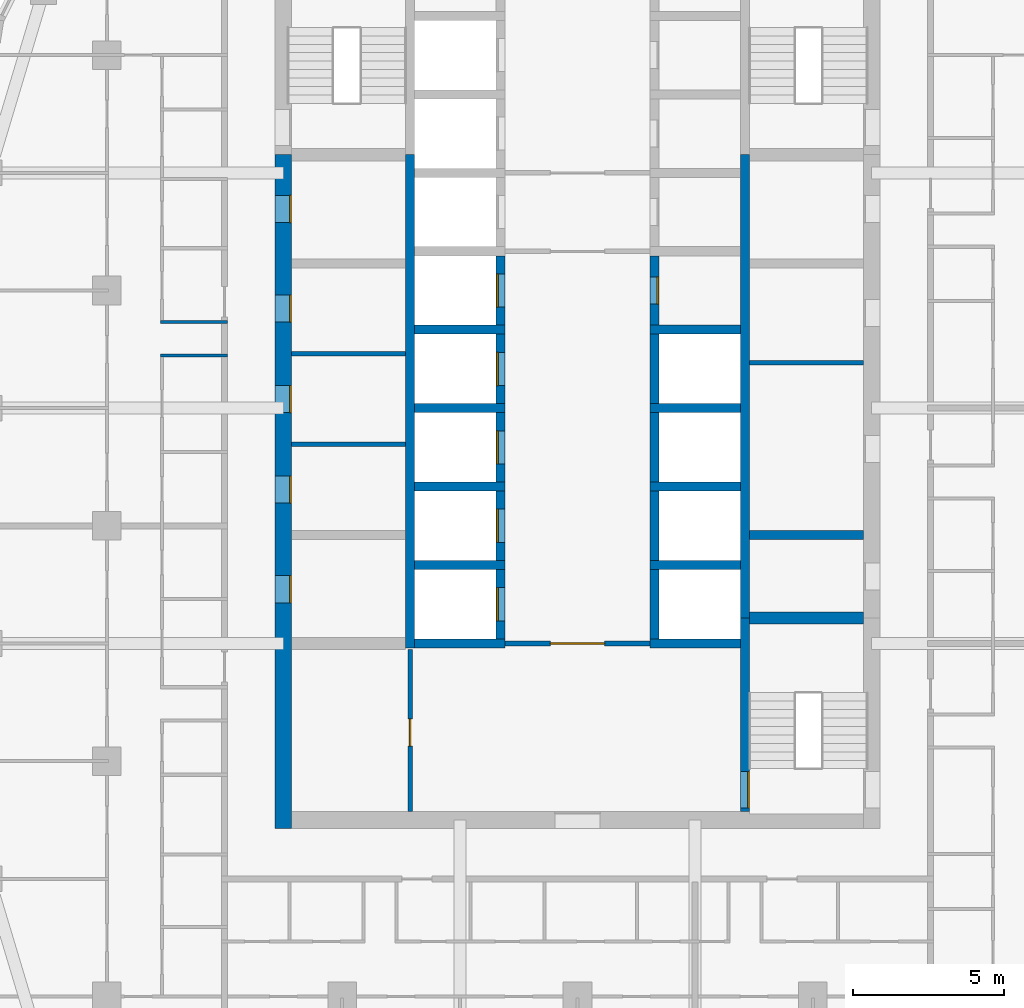
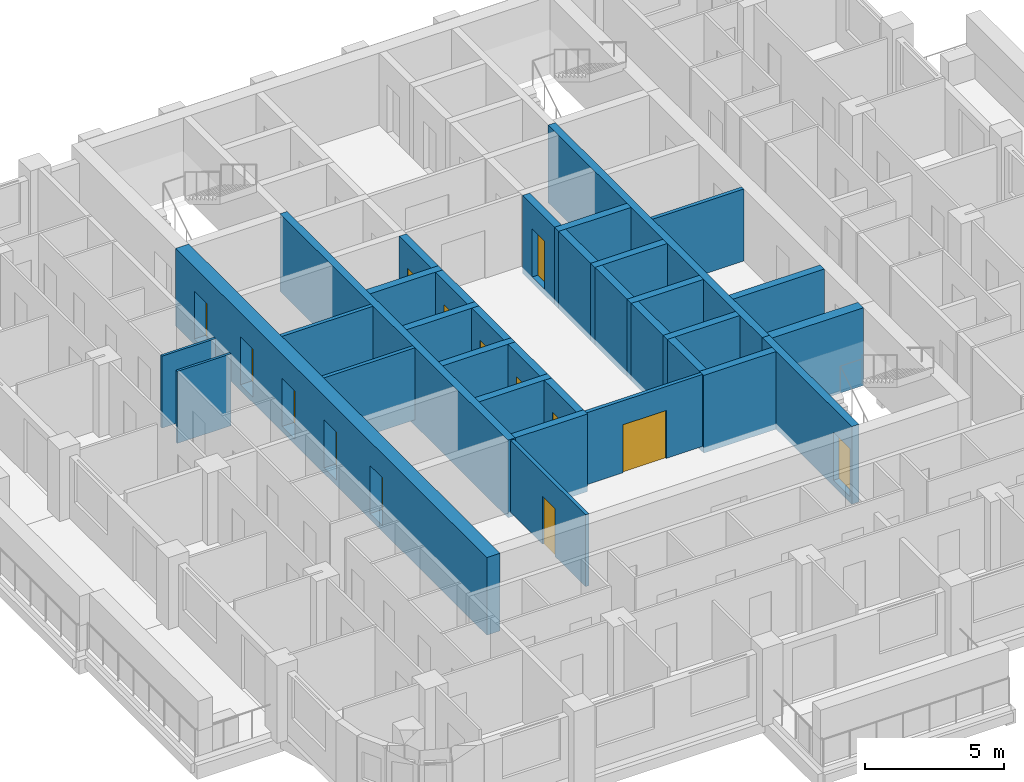
# One storey, part 5 of 14: 33 walls, 14 doors, 14 openings.
"""IFC4 building model written with IfcOpenShell, lengths in metres."""

from ifc_helpers import new_model, si_unit, direction, frame, frame_2d, origin, place, context, subcontext, project, spatial, rectangle, extrude, material, layer, layer_set, type_object, element, fill, save


model = new_model("IFC4")

# Units and contexts
model_context = context("Model", 3, precision=1e-05, world=origin(), true_north=direction((0.0, 1.0)))
body_context = subcontext(model_context, "Body", "Model", "MODEL_VIEW")
ifc_project = project(units=[si_unit("LENGTHUNIT", "METRE"), si_unit("AREAUNIT", "SQUARE_METRE"), si_unit("VOLUMEUNIT", "CUBIC_METRE"), si_unit("PLANEANGLEUNIT", "RADIAN"), si_unit("MASSUNIT", "GRAM", prefix="KILO")], contexts=[model_context])

# Site, building, storey
site_placement = place(None, origin())
site = spatial("IfcSite", under=ifc_project, at=site_placement, CompositionType="ELEMENT")
building_placement = place(site_placement, origin())
building = spatial("IfcBuilding", under=site, at=building_placement, Name="Ludao Terraces", CompositionType="ELEMENT")
storey_placement = place(building_placement, frame((0.0, 0.0, 106.699951171875)))
storey = spatial("IfcBuildingStorey", under=building, at=storey_placement, Name="L29", CompositionType="ELEMENT", Elevation=106.699951171875)

# Wall, openings, doors
ifc_material_1 = material(Name="Concrete C60", Category="concrete")
ifc_layer_1 = layer(ifc_material_1, 0.550048828125)
ifc_layer_set_1 = layer_set([ifc_layer_1], Name="Core wall 550 C60")
wall_type_1 = type_object("IfcWallType", Name="Core wall 550 C60", PredefinedType="SOLIDWALL", material=ifc_layer_set_1)
wall_1_placement = place(storey_placement, frame((75.25, 54.97509765625, -0.25), z_axis=(0.0, 0.0, 1.0), x_axis=(0.0, 1.0, 0.0)))
wall_1 = element("IfcWall", 1, at=wall_1_placement, inside=storey, type_object=wall_type_1, Name="Core wall L29 outer-W", PredefinedType="SOLIDWALL", context=body_context, shape_type="SweptSolid", body=[
    extrude(rectangle(XDim=22.324951171875, YDim=0.550048828125, at=frame_2d((11.16259765625, 0.0))), origin(), (0.0, 0.0, 1.0), 3.400146484375),
])
opening_1_placement = place(wall_1_placement, frame((7.47509765625, 0.0, 0.25)))
opening_1 = element("IfcOpeningElement", 2, at=opening_1_placement, cuts=wall_1, Name="Opening R08-046", PredefinedType="OPENING", context=body_context, shape_type="SweptSolid", body=[
    extrude(rectangle(XDim=0.89990234375, YDim=2.10009765625, at=frame_2d((0.449951171875, 1.050048828125))), frame((0.0, 0.28515625, 0.0), z_axis=(0.0, -1.0, 0.0), x_axis=(1.0, 0.0, 0.0)), (0.0, 0.0, 1.0), 0.570068359375),
])
opening_2_placement = place(wall_1_placement, frame((10.77490234375, 0.0, 0.25)))
opening_2 = element("IfcOpeningElement", 3, at=opening_2_placement, cuts=wall_1, Name="Opening R08-053", PredefinedType="OPENING", context=body_context, shape_type="SweptSolid", body=[
    extrude(rectangle(XDim=0.89990234375, YDim=2.10009765625, at=frame_2d((0.449951171875, 1.050048828125))), frame((0.0, 0.28515625, 0.0), z_axis=(0.0, -1.0, 0.0), x_axis=(1.0, 0.0, 0.0)), (0.0, 0.0, 1.0), 0.570068359375),
])
opening_3_placement = place(wall_1_placement, frame((13.77490234375, 0.0, 0.25)))
opening_3 = element("IfcOpeningElement", 4, at=opening_3_placement, cuts=wall_1, Name="Opening R08-062", PredefinedType="OPENING", context=body_context, shape_type="SweptSolid", body=[
    extrude(rectangle(XDim=0.89990234375, YDim=2.10009765625, at=frame_2d((0.449951171875, 1.050048828125))), frame((0.0, 0.28515625, 0.0), z_axis=(0.0, -1.0, 0.0), x_axis=(1.0, 0.0, 0.0)), (0.0, 0.0, 1.0), 0.570068359375),
])
opening_4_placement = place(wall_1_placement, frame((16.77490234375, 0.0, 0.25)))
opening_4 = element("IfcOpeningElement", 5, at=opening_4_placement, cuts=wall_1, Name="Opening R08-068", PredefinedType="OPENING", context=body_context, shape_type="SweptSolid", body=[
    extrude(rectangle(XDim=0.89990234375, YDim=2.10009765625, at=frame_2d((0.449951171875, 1.050048828125))), frame((0.0, 0.28515625, 0.0), z_axis=(0.0, -1.0, 0.0), x_axis=(1.0, 0.0, 0.0)), (0.0, 0.0, 1.0), 0.570068359375),
])
opening_5_placement = place(wall_1_placement, frame((20.074951171875, 0.0, 0.25)))
opening_5 = element("IfcOpeningElement", 6, at=opening_5_placement, cuts=wall_1, Name="Opening R08-080", PredefinedType="OPENING", context=body_context, shape_type="SweptSolid", body=[
    extrude(rectangle(XDim=0.89990234375, YDim=2.10009765625, at=frame_2d((0.449951171875, 1.050048828125))), frame((0.0, 0.28515625, 0.0), z_axis=(0.0, -1.0, 0.0), x_axis=(1.0, 0.0, 0.0)), (0.0, 0.0, 1.0), 0.570068359375),
])
ifc_material_2 = material(Name="Steel Q235", Category="steel")
door_type_1 = type_object("IfcDoorType", Name="INT Riser door 900", OperationType="SINGLE_SWING_LEFT", PredefinedType="DOOR", material=ifc_material_2)
door_1_placement = place(opening_1_placement, origin())
door_1 = element("IfcDoor", 7, at=door_1_placement, inside=storey, type_object=door_type_1, Name="DOOR 046", OperationType="SINGLE_SWING_RIGHT", OverallHeight=2.10009765625, OverallWidth=0.89990234375, PredefinedType="DOOR", context=body_context, shape_type="SweptSolid", body=[
    extrude(rectangle(XDim=0.89990234375, YDim=2.10009765625, at=frame_2d((0.449951171875, 1.050048828125))), frame((0.0, -0.2099609375, 0.0), z_axis=(0.0, -1.0, 0.0), x_axis=(1.0, 0.0, 0.0)), (0.0, 0.0, 1.0), 0.050048828125),
])
fill(opening_1, door_1)
door_2_placement = place(opening_5_placement, origin())
door_2 = element("IfcDoor", 8, at=door_2_placement, inside=storey, type_object=door_type_1, Name="DOOR 080", OperationType="SINGLE_SWING_LEFT", OverallHeight=2.10009765625, OverallWidth=0.89990234375, PredefinedType="DOOR", context=body_context, shape_type="SweptSolid", body=[
    extrude(rectangle(XDim=0.89990234375, YDim=2.10009765625, at=frame_2d((0.449951171875, 1.050048828125))), frame((0.0, -0.2099609375, 0.0), z_axis=(0.0, -1.0, 0.0), x_axis=(1.0, 0.0, 0.0)), (0.0, 0.0, 1.0), 0.050048828125),
])
fill(opening_5, door_2)
ifc_material_3 = material(Name="Timber door leaf", Category="wood")
door_type_2 = type_object("IfcDoorType", Name="INT Room door 900", OperationType="SINGLE_SWING_LEFT", PredefinedType="DOOR", material=ifc_material_3)
door_3_placement = place(opening_2_placement, origin())
door_3 = element("IfcDoor", 9, at=door_3_placement, inside=storey, type_object=door_type_2, Name="DOOR 053", OperationType="SINGLE_SWING_RIGHT", OverallHeight=2.10009765625, OverallWidth=0.89990234375, PredefinedType="DOOR", context=body_context, shape_type="SweptSolid", body=[
    extrude(rectangle(XDim=0.89990234375, YDim=2.10009765625, at=frame_2d((0.449951171875, 1.050048828125))), frame((0.0, -0.2099609375, 0.0), z_axis=(0.0, -1.0, 0.0), x_axis=(1.0, 0.0, 0.0)), (0.0, 0.0, 1.0), 0.050048828125),
])
fill(opening_2, door_3)
door_4_placement = place(opening_3_placement, origin())
door_4 = element("IfcDoor", 10, at=door_4_placement, inside=storey, type_object=door_type_2, Name="DOOR 062", OperationType="SINGLE_SWING_LEFT", OverallHeight=2.10009765625, OverallWidth=0.89990234375, PredefinedType="DOOR", context=body_context, shape_type="SweptSolid", body=[
    extrude(rectangle(XDim=0.89990234375, YDim=2.10009765625, at=frame_2d((0.449951171875, 1.050048828125))), frame((0.0, -0.2099609375, 0.0), z_axis=(0.0, -1.0, 0.0), x_axis=(1.0, 0.0, 0.0)), (0.0, 0.0, 1.0), 0.050048828125),
])
fill(opening_3, door_4)
door_5_placement = place(opening_4_placement, origin())
door_5 = element("IfcDoor", 11, at=door_5_placement, inside=storey, type_object=door_type_2, Name="DOOR 068", OperationType="SINGLE_SWING_LEFT", OverallHeight=2.10009765625, OverallWidth=0.89990234375, PredefinedType="DOOR", context=body_context, shape_type="SweptSolid", body=[
    extrude(rectangle(XDim=0.89990234375, YDim=2.10009765625, at=frame_2d((0.449951171875, 1.050048828125))), frame((0.0, -0.2099609375, 0.0), z_axis=(0.0, -1.0, 0.0), x_axis=(1.0, 0.0, 0.0)), (0.0, 0.0, 1.0), 0.050048828125),
])
fill(opening_4, door_5)

# Wall, opening, door
ifc_material_4 = material(Name="Fire-rated gypsum plasterboard", Category="gypsum")
ifc_layer_2 = layer(ifc_material_4, 0.012451171875, Category="gypsum")
ifc_material_5 = material(Name="Mineral wool")
ifc_layer_3 = layer(ifc_material_5, 0.10009765625, Name="insulation")
ifc_layer_4 = layer(ifc_material_2, 0.02490234375, Name="stud")
ifc_layer_5 = layer(ifc_material_4, 0.012451171875, Category="gypsum")
ifc_layer_set_2 = layer_set([ifc_layer_2, ifc_layer_3, ifc_layer_4, ifc_layer_5], Name="INT Core partition 150")
wall_type_2 = type_object("IfcWallType", Name="INT Core partition 150", PredefinedType="PARTITIONING", material=ifc_layer_set_2)
wall_2_placement = place(storey_placement, frame((82.60009765625, 61.10009765625, 0.0), z_axis=(0.0, 0.0, 1.0), x_axis=(1.0, 0.0, 0.0)))
wall_2 = element("IfcWall", 12, at=wall_2_placement, inside=storey, type_object=wall_type_2, Name="PW-L29-PW019", PredefinedType="PARTITIONING", context=body_context, shape_type="SweptSolid", body=[
    extrude(rectangle(XDim=4.800048828125, YDim=0.14990234375, at=frame_2d((2.39990234375, 0.0))), origin(), (0.0, 0.0, 1.0), 3.150146484375),
])
opening_6_placement = place(wall_2_placement, frame((1.5, 0.0, 0.0)))
opening_6 = element("IfcOpeningElement", 13, at=opening_6_placement, cuts=wall_2, Name="Opening R08-042", PredefinedType="OPENING", context=body_context, shape_type="SweptSolid", body=[
    extrude(rectangle(XDim=1.800048828125, YDim=2.10009765625, at=frame_2d((0.89990234375, 1.050048828125))), frame((0.0, 0.0849609375, 0.0), z_axis=(0.0, -1.0, 0.0), x_axis=(1.0, 0.0, 0.0)), (0.0, 0.0, 1.0), 0.169921875),
])
door_type_3 = type_object("IfcDoorType", Name="INT Fire lobby door 1800", OperationType="DOUBLE_DOOR_SINGLE_SWING", PredefinedType="DOOR", material=ifc_material_2)
door_6_placement = place(opening_6_placement, origin())
door_6 = element("IfcDoor", 14, at=door_6_placement, inside=storey, type_object=door_type_3, Name="DOOR 042", OperationType="DOUBLE_DOOR_SINGLE_SWING", OverallHeight=2.10009765625, OverallWidth=1.800048828125, PredefinedType="DOOR", context=body_context, shape_type="SweptSolid", body=[
    extrude(rectangle(XDim=1.800048828125, YDim=2.10009765625, at=frame_2d((0.89990234375, 1.050048828125))), frame((0.0, 0.02490234375, 0.0), z_axis=(0.0, -1.0, 0.0), x_axis=(1.0, 0.0, 0.0)), (0.0, 0.0, 1.0), 0.050048828125),
])
fill(opening_6, door_6)

# Walls
for number, where, z_axis, x_axis, name in (
    (15, (75.525146484375, 67.699951171875, 0.0), (0.0, 0.0, 1.0), (1.0, 0.0, 0.0), "PW-L29-PW028"),
    (16, (90.7001953125, 70.39990234375, 0.0), (0.0, 0.0, 1.0), (1.0, 0.0, 0.0), "PW-L29-PW031"),
    (17, (75.525146484375, 70.699951171875, 0.0), (0.0, 0.0, 1.0), (1.0, 0.0, 0.0), "PW-L29-PW033"),
):
    element("IfcWall", number, at=place(storey_placement, frame(where, z_axis=z_axis, x_axis=x_axis)), inside=storey, type_object=wall_type_2, Name=name, PredefinedType="PARTITIONING", context=body_context, shape_type="SweptSolid", body=[
        extrude(rectangle(XDim=3.77490234375, YDim=0.14990234375, at=frame_2d((1.887451171875, 0.0))), origin(), (0.0, 0.0, 1.0), 3.150146484375),
    ])

# Wall, opening, door
wall_3_placement = place(storey_placement, frame((79.449951171875, 55.525146484375, 0.0), z_axis=(0.0, 0.0, 1.0), x_axis=(0.0, 1.0, 0.0)))
wall_3 = element("IfcWall", 18, at=wall_3_placement, inside=storey, type_object=wall_type_2, Name="PW-L29-PW060", PredefinedType="PARTITIONING", context=body_context, shape_type="SweptSolid", body=[
    extrude(rectangle(XDim=5.375, YDim=0.14990234375, at=frame_2d((2.6875, 0.0))), origin(), (0.0, 0.0, 1.0), 3.150146484375),
])
opening_7_placement = place(wall_3_placement, frame((2.175048828125, 0.0, 0.0)))
opening_7 = element("IfcOpeningElement", 19, at=opening_7_placement, cuts=wall_3, Name="Opening R08-036", PredefinedType="OPENING", context=body_context, shape_type="SweptSolid", body=[
    extrude(rectangle(XDim=0.89990234375, YDim=2.10009765625, at=frame_2d((0.449951171875, 1.050048828125))), frame((0.0, 0.0849609375, 0.0), z_axis=(0.0, -1.0, 0.0), x_axis=(1.0, 0.0, 0.0)), (0.0, 0.0, 1.0), 0.169921875),
])
door_7_placement = place(opening_7_placement, origin())
door_7 = element("IfcDoor", 20, at=door_7_placement, inside=storey, type_object=door_type_2, Name="DOOR 036", OperationType="SINGLE_SWING_LEFT", OverallHeight=2.10009765625, OverallWidth=0.89990234375, PredefinedType="DOOR", context=body_context, shape_type="SweptSolid", body=[
    extrude(rectangle(XDim=0.89990234375, YDim=2.10009765625, at=frame_2d((0.449951171875, 1.050048828125))), frame((0.0, 0.02490234375, 0.0), z_axis=(0.0, -1.0, 0.0), x_axis=(1.0, 0.0, 0.0)), (0.0, 0.0, 1.0), 0.050048828125),
])
fill(opening_7, door_7)

# Walls
ifc_material_6 = material(Name="Gypsum plasterboard", Category="gypsum")
ifc_layer_6 = layer(ifc_material_6, 0.012451171875, Category="gypsum")
ifc_layer_7 = layer(ifc_material_5, 0.06005859375, Name="insulation")
ifc_layer_8 = layer(ifc_material_2, 0.014892578125, Name="stud")
ifc_layer_9 = layer(ifc_material_6, 0.012451171875, Category="gypsum")
ifc_layer_set_3 = layer_set([ifc_layer_6, ifc_layer_7, ifc_layer_8, ifc_layer_9], Name="INT Partition 100")
wall_type_3 = type_object("IfcWallType", Name="INT Partition 100", PredefinedType="PARTITIONING", material=ifc_layer_set_3)
for number, where, z_axis, x_axis, name in (
    (21, (71.18017578125, 70.64990234375, 0.0), (0.0, 0.0, 1.0), (1.0, 0.0, 0.0), "PW-L29-PW032"),
    (22, (71.18017578125, 71.75, 0.0), (0.0, 0.0, 1.0), (1.0, 0.0, 0.0), "PW-L29-PW034"),
):
    element("IfcWall", number, at=place(storey_placement, frame(where, z_axis=z_axis, x_axis=x_axis)), inside=storey, type_object=wall_type_3, Name=name, PredefinedType="PARTITIONING", context=body_context, shape_type="SweptSolid", body=[
        extrude(rectangle(XDim=2.219970703125, YDim=0.10009765625, at=frame_2d((1.10986328125, 0.0))), origin(), (0.0, 0.0, 1.0), 3.150146484375),
    ])
ifc_material_7 = material(Name="Concrete C55", Category="concrete")
ifc_layer_10 = layer(ifc_material_7, 0.300048828125)
ifc_layer_set_4 = layer_set([ifc_layer_10], Name="Shaft wall 300 C55")
wall_type_4 = type_object("IfcWallType", Name="Shaft wall 300 C55", PredefinedType="SOLIDWALL", material=ifc_layer_set_4)
wall_4_placement = place(storey_placement, frame((79.449951171875, 60.949951171875, -0.25), z_axis=(0.0, 0.0, 1.0), x_axis=(0.0, 1.0, 0.0)))
element("IfcWall", 23, at=wall_4_placement, inside=storey, type_object=wall_type_4, Name="Core wall L29 back-W", PredefinedType="SOLIDWALL", context=body_context, shape_type="SweptSolid", body=[
    extrude(rectangle(XDim=16.35009765625, YDim=0.300048828125, at=frame_2d((8.175048828125, 0.0))), origin(), (0.0, 0.0, 1.0), 3.400146484375),
])

# Wall, opening, door
wall_5_placement = place(storey_placement, frame((90.550048828125, 55.52490234375, -0.25), z_axis=(0.0, 0.0, 1.0), x_axis=(0.0, 1.0, 0.0)))
wall_5 = element("IfcWall", 24, at=wall_5_placement, inside=storey, type_object=wall_type_4, Name="Core wall L29 back-E-S3", PredefinedType="SOLIDWALL", context=body_context, shape_type="SweptSolid", body=[
    extrude(rectangle(XDim=6.425048828125, YDim=0.300048828125, at=frame_2d((3.21240234375, 0.0))), origin(), (0.0, 0.0, 1.0), 3.400146484375),
])
opening_8_placement = place(wall_5_placement, frame((0.125, 0.0, 0.25)))
opening_8 = element("IfcOpeningElement", 25, at=opening_8_placement, cuts=wall_5, Name="Opening R08-033", PredefinedType="OPENING", context=body_context, shape_type="SweptSolid", body=[
    extrude(rectangle(XDim=1.199951171875, YDim=2.10009765625, at=frame_2d((0.60009765625, 1.050048828125))), frame((0.0, 0.16015625, 0.0), z_axis=(0.0, -1.0, 0.0), x_axis=(1.0, 0.0, 0.0)), (0.0, 0.0, 1.0), 0.320068359375),
])
door_type_4 = type_object("IfcDoorType", Name="INT Stair door 1200", OperationType="DOUBLE_DOOR_SINGLE_SWING", PredefinedType="DOOR", material=ifc_material_2)
door_8_placement = place(opening_8_placement, origin())
door_8 = element("IfcDoor", 26, at=door_8_placement, inside=storey, type_object=door_type_4, Name="DOOR 033", OperationType="DOUBLE_DOOR_SINGLE_SWING", OverallHeight=2.10009765625, OverallWidth=1.199951171875, PredefinedType="DOOR", context=body_context, shape_type="SweptSolid", body=[
    extrude(rectangle(XDim=1.199951171875, YDim=2.10009765625, at=frame_2d((0.60009765625, 1.050048828125))), frame((0.0, -0.0849609375, 0.0), z_axis=(0.0, -1.0, 0.0), x_axis=(1.0, 0.0, 0.0)), (0.0, 0.0, 1.0), 0.050048828125),
])
fill(opening_8, door_8)

# Walls
wall_6_placement = place(storey_placement, frame((90.550048828125, 61.949951171875, -0.25), z_axis=(0.0, 0.0, 1.0), x_axis=(0.0, 1.0, 0.0)))
element("IfcWall", 27, at=wall_6_placement, inside=storey, type_object=wall_type_4, Name="Core wall L29 back-E", PredefinedType="SOLIDWALL", context=body_context, shape_type="SweptSolid", body=[
    extrude(rectangle(XDim=15.35009765625, YDim=0.300048828125, at=frame_2d((7.675048828125, 0.0))), origin(), (0.0, 0.0, 1.0), 3.400146484375),
])
wall_7_placement = place(storey_placement, frame((79.60009765625, 61.10009765625, -0.25), z_axis=(0.0, 0.0, 1.0), x_axis=(1.0, 0.0, 0.0)))
element("IfcWall", 28, at=wall_7_placement, inside=storey, type_object=wall_type_4, Name="Core wall L29 div-W1", PredefinedType="SOLIDWALL", context=body_context, shape_type="SweptSolid", body=[
    extrude(rectangle(XDim=3.0, YDim=0.300048828125, at=frame_2d((1.5, 0.0))), origin(), (0.0, 0.0, 1.0), 3.400146484375),
])

# Wall, opening, door
wall_8_placement = place(storey_placement, frame((82.449951171875, 61.25, -0.25), z_axis=(0.0, 0.0, 1.0), x_axis=(0.0, 1.0, 0.0)))
wall_8 = element("IfcWall", 29, at=wall_8_placement, inside=storey, type_object=wall_type_4, Name="Core wall L29 front-W1", PredefinedType="SOLIDWALL", context=body_context, shape_type="SweptSolid", body=[
    extrude(rectangle(XDim=2.300048828125, YDim=0.300048828125, at=frame_2d((1.14990234375, 0.0))), origin(), (0.0, 0.0, 1.0), 3.400146484375),
])
opening_9_placement = place(wall_8_placement, frame((0.60009765625, 0.0, 0.25)))
opening_9 = element("IfcOpeningElement", 30, at=opening_9_placement, cuts=wall_8, Name="Opening LD-LA1", PredefinedType="OPENING", context=body_context, shape_type="SweptSolid", body=[
    extrude(rectangle(XDim=1.10009765625, YDim=2.10009765625, at=frame_2d((0.550048828125, 1.050048828125))), frame((0.0, 0.16015625, 0.0), z_axis=(0.0, -1.0, 0.0), x_axis=(1.0, 0.0, 0.0)), (0.0, 0.0, 1.0), 0.320068359375),
])
ifc_material_8 = material(Name="Stainless steel 304", Category="steel")
door_type_5 = type_object("IfcDoorType", Name="INT Lift landing door 1100", OperationType="SLIDING_TO_LEFT", PredefinedType="DOOR", material=ifc_material_8)
door_9_placement = place(opening_9_placement, origin())
door_9 = element("IfcDoor", 31, at=door_9_placement, inside=storey, type_object=door_type_5, Name="LANDING DOOR LA1 L29", OperationType="SLIDING_TO_RIGHT", OverallHeight=2.10009765625, OverallWidth=1.10009765625, PredefinedType="DOOR", context=body_context, shape_type="SweptSolid", body=[
    extrude(rectangle(XDim=1.10009765625, YDim=2.10009765625, at=frame_2d((0.550048828125, 1.050048828125))), frame((0.0, 0.13525390625, 0.0), z_axis=(0.0, -1.0, 0.0), x_axis=(1.0, 0.0, 0.0)), (0.0, 0.0, 1.0), 0.050048828125),
])
fill(opening_9, door_9)

# Wall
wall_9_placement = place(storey_placement, frame((79.60009765625, 63.699951171875, -0.25), z_axis=(0.0, 0.0, 1.0), x_axis=(1.0, 0.0, 0.0)))
element("IfcWall", 32, at=wall_9_placement, inside=storey, type_object=wall_type_4, Name="Core wall L29 div-W2", PredefinedType="SOLIDWALL", context=body_context, shape_type="SweptSolid", body=[
    extrude(rectangle(XDim=3.0, YDim=0.300048828125, at=frame_2d((1.5, 0.0))), origin(), (0.0, 0.0, 1.0), 3.400146484375),
])

# Wall, opening, door
wall_10_placement = place(storey_placement, frame((82.449951171875, 63.85009765625, -0.25), z_axis=(0.0, 0.0, 1.0), x_axis=(0.0, 1.0, 0.0)))
wall_10 = element("IfcWall", 33, at=wall_10_placement, inside=storey, type_object=wall_type_4, Name="Core wall L29 front-W2", PredefinedType="SOLIDWALL", context=body_context, shape_type="SweptSolid", body=[
    extrude(rectangle(XDim=2.2998046875, YDim=0.300048828125, at=frame_2d((1.14990234375, 0.0))), origin(), (0.0, 0.0, 1.0), 3.400146484375),
])
opening_10_placement = place(wall_10_placement, frame((0.60009765625, 0.0, 0.25)))
opening_10 = element("IfcOpeningElement", 34, at=opening_10_placement, cuts=wall_10, Name="Opening LD-LA2", PredefinedType="OPENING", context=body_context, shape_type="SweptSolid", body=[
    extrude(rectangle(XDim=1.10009765625, YDim=2.10009765625, at=frame_2d((0.550048828125, 1.050048828125))), frame((0.0, 0.16015625, 0.0), z_axis=(0.0, -1.0, 0.0), x_axis=(1.0, 0.0, 0.0)), (0.0, 0.0, 1.0), 0.320068359375),
])
door_10_placement = place(opening_10_placement, origin())
door_10 = element("IfcDoor", 35, at=door_10_placement, inside=storey, type_object=door_type_5, Name="LANDING DOOR LA2 L29", OperationType="SLIDING_TO_RIGHT", OverallHeight=2.10009765625, OverallWidth=1.10009765625, PredefinedType="DOOR", context=body_context, shape_type="SweptSolid", body=[
    extrude(rectangle(XDim=1.10009765625, YDim=2.10009765625, at=frame_2d((0.550048828125, 1.050048828125))), frame((0.0, 0.13525390625, 0.0), z_axis=(0.0, -1.0, 0.0), x_axis=(1.0, 0.0, 0.0)), (0.0, 0.0, 1.0), 0.050048828125),
])
fill(opening_10, door_10)

# Wall
wall_11_placement = place(storey_placement, frame((79.60009765625, 66.300048828125, -0.25), z_axis=(0.0, 0.0, 1.0), x_axis=(1.0, 0.0, 0.0)))
element("IfcWall", 36, at=wall_11_placement, inside=storey, type_object=wall_type_4, Name="Core wall L29 div-W3", PredefinedType="SOLIDWALL", context=body_context, shape_type="SweptSolid", body=[
    extrude(rectangle(XDim=3.0, YDim=0.300048828125, at=frame_2d((1.5, 0.0))), origin(), (0.0, 0.0, 1.0), 3.400146484375),
])

# Wall, opening, door
wall_12_placement = place(storey_placement, frame((82.449951171875, 66.449951171875, -0.25), z_axis=(0.0, 0.0, 1.0), x_axis=(0.0, 1.0, 0.0)))
wall_12 = element("IfcWall", 37, at=wall_12_placement, inside=storey, type_object=wall_type_4, Name="Core wall L29 front-W3", PredefinedType="SOLIDWALL", context=body_context, shape_type="SweptSolid", body=[
    extrude(rectangle(XDim=2.300048828125, YDim=0.300048828125, at=frame_2d((1.14990234375, 0.0))), origin(), (0.0, 0.0, 1.0), 3.400146484375),
])
opening_11_placement = place(wall_12_placement, frame((0.60009765625, 0.0, 0.25)))
opening_11 = element("IfcOpeningElement", 38, at=opening_11_placement, cuts=wall_12, Name="Opening LD-LA3", PredefinedType="OPENING", context=body_context, shape_type="SweptSolid", body=[
    extrude(rectangle(XDim=1.10009765625, YDim=2.10009765625, at=frame_2d((0.550048828125, 1.050048828125))), frame((0.0, 0.16015625, 0.0), z_axis=(0.0, -1.0, 0.0), x_axis=(1.0, 0.0, 0.0)), (0.0, 0.0, 1.0), 0.320068359375),
])
door_11_placement = place(opening_11_placement, origin())
door_11 = element("IfcDoor", 39, at=door_11_placement, inside=storey, type_object=door_type_5, Name="LANDING DOOR LA3 L29", OperationType="SLIDING_TO_RIGHT", OverallHeight=2.10009765625, OverallWidth=1.10009765625, PredefinedType="DOOR", context=body_context, shape_type="SweptSolid", body=[
    extrude(rectangle(XDim=1.10009765625, YDim=2.10009765625, at=frame_2d((0.550048828125, 1.050048828125))), frame((0.0, 0.13525390625, 0.0), z_axis=(0.0, -1.0, 0.0), x_axis=(1.0, 0.0, 0.0)), (0.0, 0.0, 1.0), 0.050048828125),
])
fill(opening_11, door_11)

# Wall
wall_13_placement = place(storey_placement, frame((79.60009765625, 68.89990234375, -0.25), z_axis=(0.0, 0.0, 1.0), x_axis=(1.0, 0.0, 0.0)))
element("IfcWall", 40, at=wall_13_placement, inside=storey, type_object=wall_type_4, Name="Core wall L29 div-W4", PredefinedType="SOLIDWALL", context=body_context, shape_type="SweptSolid", body=[
    extrude(rectangle(XDim=3.0, YDim=0.300048828125, at=frame_2d((1.5, 0.0))), origin(), (0.0, 0.0, 1.0), 3.400146484375),
])

# Wall, opening, door
wall_14_placement = place(storey_placement, frame((82.449951171875, 69.050048828125, -0.25), z_axis=(0.0, 0.0, 1.0), x_axis=(0.0, 1.0, 0.0)))
wall_14 = element("IfcWall", 41, at=wall_14_placement, inside=storey, type_object=wall_type_4, Name="Core wall L29 front-W4", PredefinedType="SOLIDWALL", context=body_context, shape_type="SweptSolid", body=[
    extrude(rectangle(XDim=2.300048828125, YDim=0.300048828125, at=frame_2d((1.14990234375, 0.0))), origin(), (0.0, 0.0, 1.0), 3.400146484375),
])
opening_12_placement = place(wall_14_placement, frame((0.60009765625, 0.0, 0.25)))
opening_12 = element("IfcOpeningElement", 42, at=opening_12_placement, cuts=wall_14, Name="Opening LD-LA4", PredefinedType="OPENING", context=body_context, shape_type="SweptSolid", body=[
    extrude(rectangle(XDim=1.10009765625, YDim=2.10009765625, at=frame_2d((0.550048828125, 1.050048828125))), frame((0.0, 0.16015625, 0.0), z_axis=(0.0, -1.0, 0.0), x_axis=(1.0, 0.0, 0.0)), (0.0, 0.0, 1.0), 0.320068359375),
])
door_12_placement = place(opening_12_placement, origin())
door_12 = element("IfcDoor", 43, at=door_12_placement, inside=storey, type_object=door_type_5, Name="LANDING DOOR LA4 L29", OperationType="SLIDING_TO_LEFT", OverallHeight=2.10009765625, OverallWidth=1.10009765625, PredefinedType="DOOR", context=body_context, shape_type="SweptSolid", body=[
    extrude(rectangle(XDim=1.10009765625, YDim=2.10009765625, at=frame_2d((0.550048828125, 1.050048828125))), frame((0.0, 0.13525390625, 0.0), z_axis=(0.0, -1.0, 0.0), x_axis=(1.0, 0.0, 0.0)), (0.0, 0.0, 1.0), 0.050048828125),
])
fill(opening_12, door_12)

# Wall
wall_15_placement = place(storey_placement, frame((79.60009765625, 71.5, -0.25), z_axis=(0.0, 0.0, 1.0), x_axis=(1.0, 0.0, 0.0)))
element("IfcWall", 44, at=wall_15_placement, inside=storey, type_object=wall_type_4, Name="Core wall L29 div-W5", PredefinedType="SOLIDWALL", context=body_context, shape_type="SweptSolid", body=[
    extrude(rectangle(XDim=3.0, YDim=0.300048828125, at=frame_2d((1.5, 0.0))), origin(), (0.0, 0.0, 1.0), 3.400146484375),
])

# Wall, opening, door
wall_16_placement = place(storey_placement, frame((82.449951171875, 71.64990234375, -0.25), z_axis=(0.0, 0.0, 1.0), x_axis=(0.0, 1.0, 0.0)))
wall_16 = element("IfcWall", 45, at=wall_16_placement, inside=storey, type_object=wall_type_4, Name="Core wall L29 front-W5", PredefinedType="SOLIDWALL", context=body_context, shape_type="SweptSolid", body=[
    extrude(rectangle(XDim=2.300048828125, YDim=0.300048828125, at=frame_2d((1.14990234375, 0.0))), origin(), (0.0, 0.0, 1.0), 3.400146484375),
])
opening_13_placement = place(wall_16_placement, frame((0.60009765625, 0.0, 0.25)))
opening_13 = element("IfcOpeningElement", 46, at=opening_13_placement, cuts=wall_16, Name="Opening LD-LA5", PredefinedType="OPENING", context=body_context, shape_type="SweptSolid", body=[
    extrude(rectangle(XDim=1.10009765625, YDim=2.10009765625, at=frame_2d((0.550048828125, 1.050048828125))), frame((0.0, 0.16015625, 0.0), z_axis=(0.0, -1.0, 0.0), x_axis=(1.0, 0.0, 0.0)), (0.0, 0.0, 1.0), 0.320068359375),
])
door_13_placement = place(opening_13_placement, origin())
door_13 = element("IfcDoor", 47, at=door_13_placement, inside=storey, type_object=door_type_5, Name="LANDING DOOR LA5 L29", OperationType="SLIDING_TO_LEFT", OverallHeight=2.10009765625, OverallWidth=1.10009765625, PredefinedType="DOOR", context=body_context, shape_type="SweptSolid", body=[
    extrude(rectangle(XDim=1.10009765625, YDim=2.10009765625, at=frame_2d((0.550048828125, 1.050048828125))), frame((0.0, 0.13525390625, 0.0), z_axis=(0.0, -1.0, 0.0), x_axis=(1.0, 0.0, 0.0)), (0.0, 0.0, 1.0), 0.050048828125),
])
fill(opening_13, door_13)

# Walls
wall_17_placement = place(storey_placement, frame((87.39990234375, 61.10009765625, -0.25), z_axis=(0.0, 0.0, 1.0), x_axis=(1.0, 0.0, 0.0)))
element("IfcWall", 48, at=wall_17_placement, inside=storey, type_object=wall_type_4, Name="Core wall L29 div-E1", PredefinedType="SOLIDWALL", context=body_context, shape_type="SweptSolid", body=[
    extrude(rectangle(XDim=3.0, YDim=0.300048828125, at=frame_2d((1.5, 0.0))), origin(), (0.0, 0.0, 1.0), 3.400146484375),
])
wall_18_placement = place(storey_placement, frame((87.550048828125, 61.25, -0.25), z_axis=(0.0, 0.0, 1.0), x_axis=(0.0, 1.0, 0.0)))
element("IfcWall", 49, at=wall_18_placement, inside=storey, type_object=wall_type_4, Name="Core wall L29 front-E1", PredefinedType="SOLIDWALL", context=body_context, shape_type="SweptSolid", body=[
    extrude(rectangle(XDim=2.300048828125, YDim=0.300048828125, at=frame_2d((1.14990234375, 0.0))), origin(), (0.0, 0.0, 1.0), 3.400146484375),
])
wall_19_placement = place(storey_placement, frame((87.39990234375, 63.699951171875, -0.25), z_axis=(0.0, 0.0, 1.0), x_axis=(1.0, 0.0, 0.0)))
element("IfcWall", 50, at=wall_19_placement, inside=storey, type_object=wall_type_4, Name="Core wall L29 div-E2", PredefinedType="SOLIDWALL", context=body_context, shape_type="SweptSolid", body=[
    extrude(rectangle(XDim=3.0, YDim=0.300048828125, at=frame_2d((1.5, 0.0))), origin(), (0.0, 0.0, 1.0), 3.400146484375),
])
wall_20_placement = place(storey_placement, frame((87.550048828125, 63.85009765625, -0.25), z_axis=(0.0, 0.0, 1.0), x_axis=(0.0, 1.0, 0.0)))
element("IfcWall", 51, at=wall_20_placement, inside=storey, type_object=wall_type_4, Name="Core wall L29 front-E2", PredefinedType="SOLIDWALL", context=body_context, shape_type="SweptSolid", body=[
    extrude(rectangle(XDim=2.2998046875, YDim=0.300048828125, at=frame_2d((1.14990234375, 0.0))), origin(), (0.0, 0.0, 1.0), 3.400146484375),
])
wall_21_placement = place(storey_placement, frame((87.39990234375, 66.300048828125, -0.25), z_axis=(0.0, 0.0, 1.0), x_axis=(1.0, 0.0, 0.0)))
element("IfcWall", 52, at=wall_21_placement, inside=storey, type_object=wall_type_4, Name="Core wall L29 div-E3", PredefinedType="SOLIDWALL", context=body_context, shape_type="SweptSolid", body=[
    extrude(rectangle(XDim=3.0, YDim=0.300048828125, at=frame_2d((1.5, 0.0))), origin(), (0.0, 0.0, 1.0), 3.400146484375),
])
wall_22_placement = place(storey_placement, frame((87.550048828125, 66.449951171875, -0.25), z_axis=(0.0, 0.0, 1.0), x_axis=(0.0, 1.0, 0.0)))
element("IfcWall", 53, at=wall_22_placement, inside=storey, type_object=wall_type_4, Name="Core wall L29 front-E3", PredefinedType="SOLIDWALL", context=body_context, shape_type="SweptSolid", body=[
    extrude(rectangle(XDim=2.300048828125, YDim=0.300048828125, at=frame_2d((1.14990234375, 0.0))), origin(), (0.0, 0.0, 1.0), 3.400146484375),
])
wall_23_placement = place(storey_placement, frame((87.39990234375, 68.89990234375, -0.25), z_axis=(0.0, 0.0, 1.0), x_axis=(1.0, 0.0, 0.0)))
element("IfcWall", 54, at=wall_23_placement, inside=storey, type_object=wall_type_4, Name="Core wall L29 div-E4", PredefinedType="SOLIDWALL", context=body_context, shape_type="SweptSolid", body=[
    extrude(rectangle(XDim=3.0, YDim=0.300048828125, at=frame_2d((1.5, 0.0))), origin(), (0.0, 0.0, 1.0), 3.400146484375),
])
wall_24_placement = place(storey_placement, frame((87.550048828125, 69.050048828125, -0.25), z_axis=(0.0, 0.0, 1.0), x_axis=(0.0, 1.0, 0.0)))
element("IfcWall", 55, at=wall_24_placement, inside=storey, type_object=wall_type_4, Name="Core wall L29 front-E4", PredefinedType="SOLIDWALL", context=body_context, shape_type="SweptSolid", body=[
    extrude(rectangle(XDim=2.300048828125, YDim=0.300048828125, at=frame_2d((1.14990234375, 0.0))), origin(), (0.0, 0.0, 1.0), 3.400146484375),
])
wall_25_placement = place(storey_placement, frame((87.39990234375, 71.5, -0.25), z_axis=(0.0, 0.0, 1.0), x_axis=(1.0, 0.0, 0.0)))
element("IfcWall", 56, at=wall_25_placement, inside=storey, type_object=wall_type_4, Name="Core wall L29 div-E5", PredefinedType="SOLIDWALL", context=body_context, shape_type="SweptSolid", body=[
    extrude(rectangle(XDim=3.0, YDim=0.300048828125, at=frame_2d((1.5, 0.0))), origin(), (0.0, 0.0, 1.0), 3.400146484375),
])

# Wall, opening, door
wall_26_placement = place(storey_placement, frame((87.550048828125, 71.64990234375, -0.25), z_axis=(0.0, 0.0, 1.0), x_axis=(0.0, 1.0, 0.0)))
wall_26 = element("IfcWall", 57, at=wall_26_placement, inside=storey, type_object=wall_type_4, Name="Core wall L29 front-E5", PredefinedType="SOLIDWALL", context=body_context, shape_type="SweptSolid", body=[
    extrude(rectangle(XDim=2.300048828125, YDim=0.300048828125, at=frame_2d((1.14990234375, 0.0))), origin(), (0.0, 0.0, 1.0), 3.400146484375),
])
opening_14_placement = place(wall_26_placement, frame((0.699951171875, 0.0, 0.25)))
opening_14 = element("IfcOpeningElement", 58, at=opening_14_placement, cuts=wall_26, Name="Opening R08-071", PredefinedType="OPENING", context=body_context, shape_type="SweptSolid", body=[
    extrude(rectangle(XDim=0.89990234375, YDim=2.10009765625, at=frame_2d((0.449951171875, 1.050048828125))), frame((0.0, 0.16015625, 0.0), z_axis=(0.0, -1.0, 0.0), x_axis=(1.0, 0.0, 0.0)), (0.0, 0.0, 1.0), 0.320068359375),
])
door_14_placement = place(opening_14_placement, origin())
door_14 = element("IfcDoor", 59, at=door_14_placement, inside=storey, type_object=door_type_2, Name="DOOR 071", OperationType="SINGLE_SWING_RIGHT", OverallHeight=2.10009765625, OverallWidth=0.89990234375, PredefinedType="DOOR", context=body_context, shape_type="SweptSolid", body=[
    extrude(rectangle(XDim=0.89990234375, YDim=2.10009765625, at=frame_2d((0.449951171875, 1.050048828125))), frame((0.0, -0.0849609375, 0.0), z_axis=(0.0, -1.0, 0.0), x_axis=(1.0, 0.0, 0.0)), (0.0, 0.0, 1.0), 0.050048828125),
])
fill(opening_14, door_14)

# Walls
wall_27_placement = place(storey_placement, frame((90.699951171875, 64.699951171875, -0.25), z_axis=(0.0, 0.0, 1.0), x_axis=(1.0, 0.0, 0.0)))
element("IfcWall", 60, at=wall_27_placement, inside=storey, type_object=wall_type_4, Name="Core wall L29 riser-a-E", PredefinedType="SOLIDWALL", context=body_context, shape_type="SweptSolid", body=[
    extrude(rectangle(XDim=3.775146484375, YDim=0.300048828125, at=frame_2d((1.8876953125, 0.0))), origin(), (0.0, 0.0, 1.0), 3.400146484375),
])
ifc_layer_11 = layer(ifc_material_7, 0.39990234375)
ifc_layer_set_5 = layer_set([ifc_layer_11], Name="Shaft wall 400 C55")
wall_type_5 = type_object("IfcWallType", Name="Shaft wall 400 C55", PredefinedType="SOLIDWALL", material=ifc_layer_set_5)
wall_28_placement = place(storey_placement, frame((90.699951171875, 61.949951171875, -0.25), z_axis=(0.0, 0.0, 1.0), x_axis=(1.0, 0.0, 0.0)))
element("IfcWall", 61, at=wall_28_placement, inside=storey, type_object=wall_type_5, Name="Core wall L29 hall-E", PredefinedType="SOLIDWALL", context=body_context, shape_type="SweptSolid", body=[
    extrude(rectangle(XDim=3.775146484375, YDim=0.39990234375, at=frame_2d((1.8876953125, 0.0))), origin(), (0.0, 0.0, 1.0), 3.400146484375),
])

save(model, "model.ifc")
